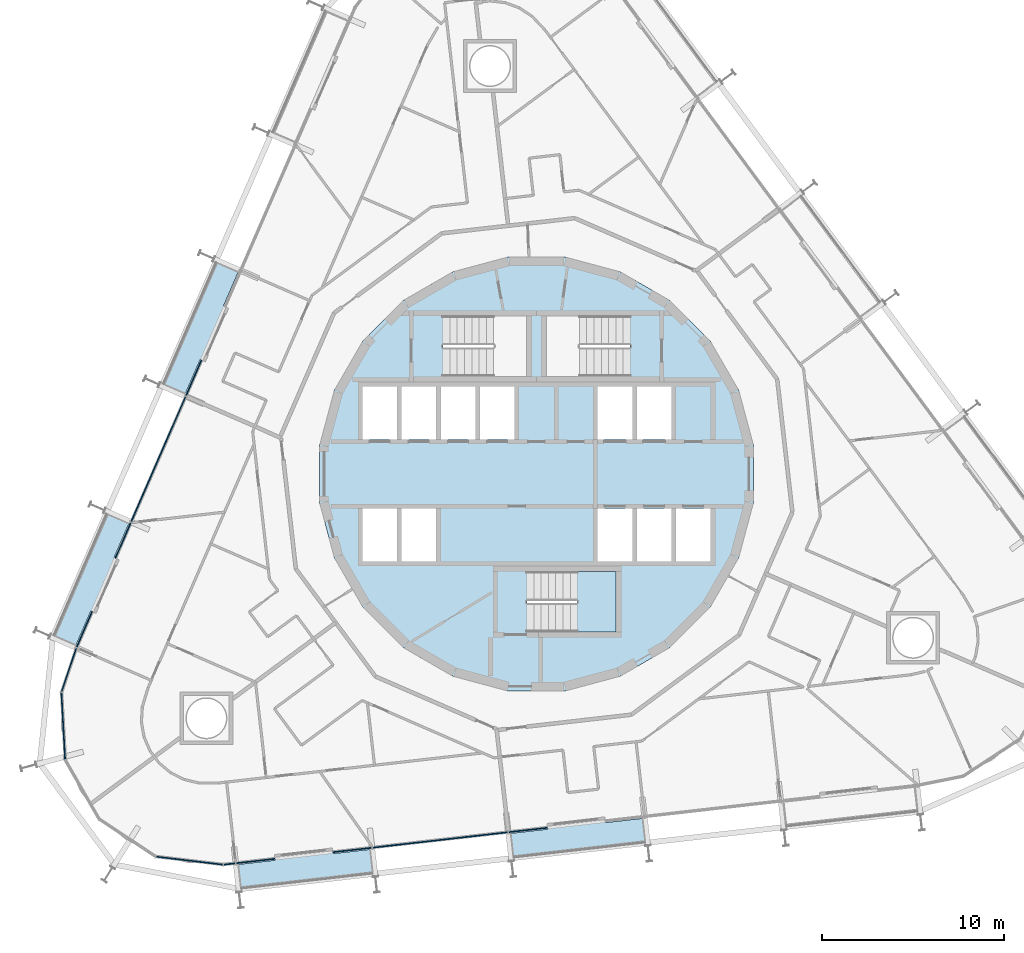
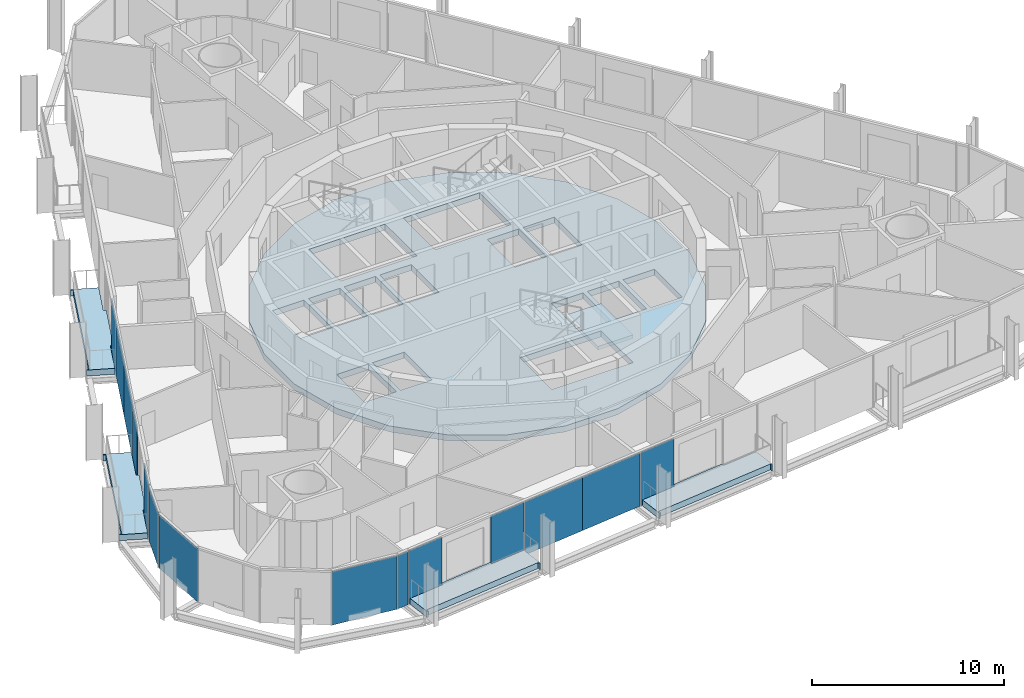
# One storey, part 13 of 24: 14 plates, 6 slabs, 4 elements without a shape of their own.
"""IFC4 building model written with IfcOpenShell, lengths in metres."""

from ifc_helpers import new_model, si_unit, direction, frame, origin, origin_2d, place, context, subcontext, project, spatial, polyline, rectangle, outline, extrude, material, layer, layer_set, type_object, element, aggregate, save


model = new_model("IFC4")

# Units and contexts
model_context = context("Model", 3, precision=1e-05, world=origin(), true_north=direction((0.0, 1.0)))
body_context = subcontext(model_context, "Body", "Model", "MODEL_VIEW")
ifc_project = project(units=[si_unit("LENGTHUNIT", "METRE"), si_unit("AREAUNIT", "SQUARE_METRE"), si_unit("VOLUMEUNIT", "CUBIC_METRE"), si_unit("PLANEANGLEUNIT", "RADIAN"), si_unit("MASSUNIT", "GRAM", prefix="KILO")], contexts=[model_context])

# Site, building, storey
site_placement = place(None, origin())
site = spatial("IfcSite", under=ifc_project, at=site_placement, CompositionType="ELEMENT")
building_placement = place(site_placement, origin())
building = spatial("IfcBuilding", under=site, at=building_placement, Name="Spindle Arch Residences", CompositionType="ELEMENT")
storey_placement = place(building_placement, frame((0.0, 0.0, 101.199951171875)))
storey = spatial("IfcBuildingStorey", under=building, at=storey_placement, Name="L24", CompositionType="ELEMENT", Elevation=101.199951171875)

# Slabs
ifc_material_1 = material(Name="Concrete C40/50", Category="concrete")
ifc_layer_1 = layer(ifc_material_1, 0.3798828125)
ifc_layer_set_1 = layer_set([ifc_layer_1], Name="Balcony slab 380")
slab_type_1 = type_object("IfcSlabType", Name="Balcony slab 380", PredefinedType="FLOOR", material=ifc_layer_set_1)
slab_1_placement = place(storey_placement, frame((0.0, 0.0, -0.3798828125)))
element("IfcSlab", 1, at=slab_1_placement, inside=storey, type_object=slab_type_1, Name="Balcony L24 bay 16", PredefinedType="FLOOR", context=body_context, shape_type="SweptSolid", body=[
    extrude(outline(polyline([(-17.704345703125, 11.715576171875), (-17.734130859375, 11.64697265625), (-17.5966796875, 11.587158203125), (-20.47509765625, 4.967041015625), (-20.61279296875, 5.02685546875), (-20.642578125, 4.9580078125), (-19.276123046875, 4.36376953125), (-18.445068359375, 6.275390625), (-18.29833984375, 6.211669921875), (-17.022216796875, 9.146240234375), (-17.1689453125, 9.2099609375), (-16.337890625, 11.12158203125), (-17.704345703125, 11.715576171875)])), origin(), (0.0, 0.0, 1.0), 0.3798828125),
])
slab_2_placement = place(storey_placement, frame((0.0, 0.0, -0.3798828125)))
element("IfcSlab", 2, at=slab_2_placement, inside=storey, type_object=slab_type_1, Name="Balcony L24 bay 18", PredefinedType="FLOOR", context=body_context, shape_type="SweptSolid", body=[
    extrude(outline(polyline([(-23.700439453125, -2.07470703125), (-23.73046875, -2.1435546875), (-23.5927734375, -2.203369140625), (-26.471435546875, -8.823486328125), (-26.60888671875, -8.763671875), (-26.638916015625, -8.832275390625), (-25.2724609375, -9.426513671875), (-24.441162109375, -7.514892578125), (-24.29443359375, -7.578857421875), (-23.0185546875, -4.644287109375), (-23.165283203125, -4.580322265625), (-22.334228515625, -2.6689453125), (-23.700439453125, -2.07470703125)])), origin(), (0.0, 0.0, 1.0), 0.3798828125),
])
slab_3_placement = place(storey_placement, frame((0.0, 0.0, -0.3798828125)))
element("IfcSlab", 3, at=slab_3_placement, inside=storey, type_object=slab_type_1, Name="Balcony L24 bay 22", PredefinedType="FLOOR", context=body_context, shape_type="SweptSolid", body=[
    extrude(outline(polyline([(-16.23486328125, -22.892578125), (-16.160400390625, -22.884033203125), (-16.177490234375, -22.735107421875), (-9.0048828125, -21.917724609375), (-8.988037109375, -22.06689453125), (-8.91357421875, -22.058349609375), (-9.08203125, -20.577880859375), (-11.153076171875, -20.81396484375), (-11.171142578125, -20.655029296875), (-14.3505859375, -21.01708984375), (-14.33251953125, -21.176025390625), (-16.403564453125, -21.412109375), (-16.23486328125, -22.892578125)])), origin(), (0.0, 0.0, 1.0), 0.3798828125),
])
slab_4_placement = place(storey_placement, frame((0.0, 0.0, -0.3798828125)))
element("IfcSlab", 4, at=slab_4_placement, inside=storey, type_object=slab_type_1, Name="Balcony L24 bay 24", PredefinedType="FLOOR", context=body_context, shape_type="SweptSolid", body=[
    extrude(outline(polyline([(-1.2939453125, -21.190185546875), (-1.219482421875, -21.181640625), (-1.236328125, -21.03271484375), (5.93603515625, -20.215576171875), (5.953125, -20.364501953125), (6.027587890625, -20.35595703125), (5.85888671875, -18.875732421875), (3.787841796875, -19.111572265625), (3.769775390625, -18.95263671875), (0.59033203125, -19.31494140625), (0.6083984375, -19.473876953125), (-1.462646484375, -19.709716796875), (-1.2939453125, -21.190185546875)])), origin(), (0.0, 0.0, 1.0), 0.3798828125),
])
ifc_material_2 = material(Name="Concrete C50/60", Category="concrete")
ifc_layer_2 = layer(ifc_material_2, 0.3798828125)
ifc_layer_set_2 = layer_set([ifc_layer_2], Name="Core floor slab 380")
slab_type_2 = type_object("IfcSlabType", Name="Core floor slab 380", PredefinedType="FLOOR", material=ifc_layer_set_2)
slab_5_placement = place(storey_placement, frame((0.0, 0.0, -0.3798828125)))
element("IfcSlab", 5, at=slab_5_placement, inside=storey, type_object=slab_type_2, Name="Core floor L24", PredefinedType="FLOOR", context=body_context, shape_type="SweptSolid", body=[
    extrude(outline(polyline([(1.56640625, -11.897216796875), (4.59228515625, -11.086669921875), (7.30517578125, -9.520263671875), (9.520263671875, -7.30517578125), (11.086669921875, -4.59228515625), (11.897216796875, -1.56640625), (11.897216796875, 1.56640625), (11.086669921875, 4.59228515625), (9.520263671875, 7.30517578125), (7.30517578125, 9.520263671875), (4.59228515625, 11.086669921875), (1.56640625, 11.897216796875), (-1.56640625, 11.897216796875), (-4.59228515625, 11.086669921875), (-7.30517578125, 9.520263671875), (-9.520263671875, 7.30517578125), (-11.086669921875, 4.59228515625), (-11.897216796875, 1.56640625), (-11.897216796875, -1.56640625), (-11.086669921875, -4.59228515625), (-9.520263671875, -7.30517578125), (-7.30517578125, -9.520263671875), (-4.59228515625, -11.086669921875), (-1.56640625, -11.897216796875), (1.56640625, -11.897216796875)]), holes=[polyline([(-9.550048828125, 1.89990234375), (-7.64990234375, 1.89990234375), (-7.64990234375, 4.800048828125), (-9.550048828125, 4.800048828125), (-9.550048828125, 1.89990234375)]), polyline([(-7.39990234375, 1.89990234375), (-5.5, 1.89990234375), (-5.5, 4.800048828125), (-7.39990234375, 4.800048828125), (-7.39990234375, 1.89990234375)]), polyline([(-5.25, 1.89990234375), (-3.35009765625, 1.89990234375), (-3.35009765625, 4.800048828125), (-5.25, 4.800048828125), (-5.25, 1.89990234375)]), polyline([(-3.10009765625, 1.89990234375), (-1.199951171875, 1.89990234375), (-1.199951171875, 4.800048828125), (-3.10009765625, 4.800048828125), (-3.10009765625, 1.89990234375)]), polyline([(3.35009765625, 1.89990234375), (5.25, 1.89990234375), (5.25, 4.800048828125), (3.35009765625, 4.800048828125), (3.35009765625, 1.89990234375)]), polyline([(5.5, 1.89990234375), (7.39990234375, 1.89990234375), (7.39990234375, 4.800048828125), (5.5, 4.800048828125), (5.5, 1.89990234375)]), polyline([(-9.550048828125, -4.800048828125), (-7.64990234375, -4.800048828125), (-7.64990234375, -1.89990234375), (-9.550048828125, -1.89990234375), (-9.550048828125, -4.800048828125)]), polyline([(-7.39990234375, -4.800048828125), (-5.5, -4.800048828125), (-5.5, -1.89990234375), (-7.39990234375, -1.89990234375), (-7.39990234375, -4.800048828125)]), polyline([(3.35009765625, -4.800048828125), (5.25, -4.800048828125), (5.25, -1.89990234375), (3.35009765625, -1.89990234375), (3.35009765625, -4.800048828125)]), polyline([(5.5, -4.800048828125), (7.39990234375, -4.800048828125), (7.39990234375, -1.89990234375), (5.5, -1.89990234375), (5.5, -4.800048828125)]), polyline([(7.64990234375, -4.800048828125), (9.550048828125, -4.800048828125), (9.550048828125, -1.89990234375), (7.64990234375, -1.89990234375), (7.64990234375, -4.800048828125)]), polyline([(5.1298828125, 8.669921875), (0.550048828125, 8.669921875), (0.550048828125, 5.35009765625), (5.1298828125, 5.35009765625), (5.1298828125, 8.669921875)]), polyline([(-5.1298828125, 5.35009765625), (-0.550048828125, 5.35009765625), (-0.550048828125, 8.669921875), (-5.1298828125, 8.669921875), (-5.1298828125, 5.35009765625)]), polyline([(-0.530029296875, -8.669921875), (4.35009765625, -8.669921875), (4.35009765625, -5.35009765625), (-0.530029296875, -5.35009765625), (-0.530029296875, -8.669921875)])]), origin(), (0.0, 0.0, 1.0), 0.3798828125),
])

# Stair, slab
ifc_material_3 = material(Name="Concrete C50/60", Category="concrete")
stair_type = type_object("IfcStairType", Name="Exit stair 16 risers", PredefinedType="HALF_TURN_STAIR", material=ifc_material_3)
stair_placement = place(storey_placement, origin())
stair = element("IfcStair", 6, at=stair_placement, inside=storey, type_object=stair_type, Name="L24 Exit stair ST3", PredefinedType="HALF_TURN_STAIR")
ifc_material_4 = material(Name="Concrete C50/60", Category="concrete")
ifc_layer_3 = layer(ifc_material_4, 0.219970703125)
ifc_layer_set_3 = layer_set([ifc_layer_3], Name="Exit stair landing 220")
slab_type_3 = type_object("IfcSlabType", Name="Exit stair landing 220", PredefinedType="LANDING", material=ifc_layer_set_3)
slab_6_placement = place(storey_placement, frame((0.0, 0.0, 1.530029296875)))
slab_6 = element("IfcSlab", 7, at=slab_6_placement, type_object=slab_type_3, Name="ST3 landing 1", PredefinedType="LANDING", context=body_context, shape_type="SweptSolid", body=[
    extrude(outline(polyline([(2.22998046875, -8.669921875), (4.35009765625, -8.669921875), (4.35009765625, -5.35009765625), (2.22998046875, -5.35009765625), (2.22998046875, -8.669921875)])), origin(), (0.0, 0.0, 1.0), 0.219970703125),
])
aggregate(stair, [slab_6])

# Curtain wall, plates
ifc_material_5 = material(Name="Aluminium bronze unitised frame with tinted glass", Category="aluminium")
ifc_layer_4 = layer(ifc_material_5, 0.159912109375)
ifc_layer_set_4 = layer_set([ifc_layer_4], Name="CW-C typical residential unitised wall")
curtain_wall_type_1 = type_object("IfcCurtainWallType", Name="CW-C typical residential unitised wall", PredefinedType="NOTDEFINED", material=ifc_layer_set_4)
curtain_wall_1_placement = place(storey_placement, origin())
curtain_wall_1 = element("IfcCurtainWall", 8, at=curtain_wall_1_placement, inside=storey, type_object=curtain_wall_type_1, Name="CW-C L24 run 4", PredefinedType="NOTDEFINED")
ifc_material_6 = material(Name="Tinted double glazing over aluminium faced non-combustible spandrel zone (K0)", Category="aluminium")
ifc_layer_5 = layer(ifc_material_6, 0.06005859375)
ifc_layer_set_5 = layer_set([ifc_layer_5], Name="Unitised glass panel with E 60 spandrel zone")
plate_type = type_object("IfcPlateType", Name="Unitised glass panel with E 60 spandrel zone", PredefinedType="CURTAIN_PANEL", material=ifc_layer_set_5)
plate_1_placement = place(storey_placement, frame((-18.796142578125, 5.26708984375, -0.3798828125), z_axis=(0.0, 0.0, 1.0), x_axis=(-0.398749068925, -0.917060074385, 0.0)))
plate_1 = element("IfcPlate", 9, at=plate_1_placement, type_object=plate_type, Name="CW-C unit 15R", PredefinedType="CURTAIN_PANEL", context=body_context, shape_type="SweptSolid", body=[
    extrude(rectangle(XDim=2.12939453125, YDim=0.06005859375, at=origin_2d()), origin(), (0.0, 0.0, 1.0), 3.3798828125),
])
plate_2_placement = place(storey_placement, frame((-19.98828125, 2.525634765625, -0.3798828125), z_axis=(0.0, 0.0, 1.0), x_axis=(-0.398749068925, -0.917060074385, 0.0)))
plate_2 = element("IfcPlate", 10, at=plate_2_placement, type_object=plate_type, Name="CW-C unit 16A", PredefinedType="CURTAIN_PANEL", context=body_context, shape_type="SweptSolid", body=[
    extrude(rectangle(XDim=3.7294921875, YDim=0.06005859375, at=origin_2d()), origin(), (0.0, 0.0, 1.0), 3.3798828125),
])
plate_3_placement = place(storey_placement, frame((-21.475341796875, -0.89453125, -0.3798828125), z_axis=(0.0, 0.0, 1.0), x_axis=(-0.398749068925, -0.917060074385, 0.0)))
plate_3 = element("IfcPlate", 11, at=plate_3_placement, type_object=plate_type, Name="CW-C unit 16B", PredefinedType="CURTAIN_PANEL", context=body_context, shape_type="SweptSolid", body=[
    extrude(rectangle(XDim=3.7294921875, YDim=0.06005859375, at=origin_2d()), origin(), (0.0, 0.0, 1.0), 3.3798828125),
])
plate_4_placement = place(storey_placement, frame((-22.66748046875, -3.635986328125, -0.3798828125), z_axis=(0.0, 0.0, 1.0), x_axis=(-0.398749068925, -0.917060074385, 0.0)))
plate_4 = element("IfcPlate", 12, at=plate_4_placement, type_object=plate_type, Name="CW-C unit 17L", PredefinedType="CURTAIN_PANEL", context=body_context, shape_type="SweptSolid", body=[
    extrude(rectangle(XDim=2.12939453125, YDim=0.06005859375, at=origin_2d()), origin(), (0.0, 0.0, 1.0), 3.3798828125),
])
plate_5_placement = place(storey_placement, frame((-24.79248046875, -8.523193359375, -0.3798828125), z_axis=(0.0, 0.0, 1.0), x_axis=(-0.398749068925, -0.917060074385, 0.0)))
plate_5 = element("IfcPlate", 13, at=plate_5_placement, type_object=plate_type, Name="CW-C unit 17R", PredefinedType="CURTAIN_PANEL", context=body_context, shape_type="SweptSolid", body=[
    extrude(rectangle(XDim=2.12939453125, YDim=0.06005859375, at=origin_2d()), origin(), (0.0, 0.0, 1.0), 3.3798828125),
])
aggregate(curtain_wall_1, [plate_1, plate_2, plate_3, plate_4, plate_5])

ifc_material_7 = material(Name="Aluminium bronze unitised frame with tinted glass", Category="aluminium")
ifc_layer_6 = layer(ifc_material_7, 0.159912109375)
ifc_layer_set_6 = layer_set([ifc_layer_6], Name="CW-D corner wall on the fillet arcs")
curtain_wall_type_2 = type_object("IfcCurtainWallType", Name="CW-D corner wall on the fillet arcs", PredefinedType="NOTDEFINED", material=ifc_layer_set_6)
curtain_wall_2_placement = place(storey_placement, origin())
curtain_wall_2 = element("IfcCurtainWall", 14, at=curtain_wall_2_placement, inside=storey, type_object=curtain_wall_type_2, Name="CW-D L24 run 5", PredefinedType="NOTDEFINED")
plate_6_placement = place(storey_placement, frame((-25.640380859375, -10.746826171875, -0.3798828125), z_axis=(0.0, 0.0, 1.0), x_axis=(-0.319727106941, -0.947509671237, 0.0)))
plate_6 = element("IfcPlate", 15, at=plate_6_placement, type_object=plate_type, Name="CW-D unit 00", PredefinedType="CURTAIN_PANEL", context=body_context, shape_type="SweptSolid", body=[
    extrude(rectangle(XDim=2.51416015625, YDim=0.06005859375, at=origin_2d()), origin(), (0.0, 0.0, 1.0), 3.3798828125),
])
plate_7_placement = place(storey_placement, frame((-25.948974609375, -13.82666015625, -0.3798828125), z_axis=(0.0, 0.0, 1.0), x_axis=(0.055240622495, -0.998473071057, 0.0)))
plate_7 = element("IfcPlate", 16, at=plate_7_placement, type_object=plate_type, Name="CW-D unit 01", PredefinedType="CURTAIN_PANEL", context=body_context, shape_type="SweptSolid", body=[
    extrude(rectangle(XDim=3.666748046875, YDim=0.06005859375, at=origin_2d()), origin(), (0.0, 0.0, 1.0), 3.3798828125),
])
plate_8_placement = place(storey_placement, frame((-19.034423828125, -21.19873046875, -0.3798828125), z_axis=(0.0, 0.0, 1.0), x_axis=(0.992896454881, -0.118981636756, 0.0)))
plate_8 = element("IfcPlate", 17, at=plate_8_placement, type_object=plate_type, Name="CW-D unit 04", PredefinedType="CURTAIN_PANEL", context=body_context, shape_type="SweptSolid", body=[
    extrude(rectangle(XDim=3.666748046875, YDim=0.06005859375, at=origin_2d()), origin(), (0.0, 0.0, 1.0), 3.3798828125),
])
plate_9_placement = place(storey_placement, frame((-16.835693359375, -21.380859375, -0.3798828125), z_axis=(0.0, 0.0, 1.0), x_axis=(0.993571855677, 0.113203213768, 0.0)))
plate_9 = element("IfcPlate", 18, at=plate_9_placement, type_object=plate_type, Name="CW-D unit 05", PredefinedType="CURTAIN_PANEL", context=body_context, shape_type="SweptSolid", body=[
    extrude(rectangle(XDim=0.6416015625, YDim=0.06005859375, at=origin_2d()), origin(), (0.0, 0.0, 1.0), 3.3798828125),
])
aggregate(curtain_wall_2, [plate_6, plate_7, plate_8, plate_9])

curtain_wall_3_placement = place(storey_placement, origin())
curtain_wall_3 = element("IfcCurtainWall", 19, at=curtain_wall_3_placement, inside=storey, type_object=curtain_wall_type_1, Name="CW-C L24 run 6", PredefinedType="NOTDEFINED")
plate_10_placement = place(storey_placement, frame((-15.3994140625, -21.21728515625, -0.3798828125), z_axis=(0.0, 0.0, 1.0), x_axis=(0.993571855677, 0.113203213768, 0.0)))
plate_10 = element("IfcPlate", 20, at=plate_10_placement, type_object=plate_type, Name="CW-C unit 21L", PredefinedType="CURTAIN_PANEL", context=body_context, shape_type="SweptSolid", body=[
    extrude(rectangle(XDim=2.12939453125, YDim=0.06005859375, at=origin_2d()), origin(), (0.0, 0.0, 1.0), 3.3798828125),
])
plate_11_placement = place(storey_placement, frame((-10.104248046875, -20.61376953125, -0.3798828125), z_axis=(0.0, 0.0, 1.0), x_axis=(0.993571855677, 0.113203213768, 0.0)))
plate_11 = element("IfcPlate", 21, at=plate_11_placement, type_object=plate_type, Name="CW-C unit 21R", PredefinedType="CURTAIN_PANEL", context=body_context, shape_type="SweptSolid", body=[
    extrude(rectangle(XDim=2.12939453125, YDim=0.06005859375, at=origin_2d()), origin(), (0.0, 0.0, 1.0), 3.3798828125),
])
plate_12_placement = place(storey_placement, frame((-7.134033203125, -20.275390625, -0.3798828125), z_axis=(0.0, 0.0, 1.0), x_axis=(0.993571855677, 0.113203213768, 0.0)))
plate_12 = element("IfcPlate", 22, at=plate_12_placement, type_object=plate_type, Name="CW-C unit 22A", PredefinedType="CURTAIN_PANEL", context=body_context, shape_type="SweptSolid", body=[
    extrude(rectangle(XDim=3.7294921875, YDim=0.06005859375, at=origin_2d()), origin(), (0.0, 0.0, 1.0), 3.3798828125),
])
plate_13_placement = place(storey_placement, frame((-3.4287109375, -19.853271484375, -0.3798828125), z_axis=(0.0, 0.0, 1.0), x_axis=(0.993571855677, 0.113203213768, 0.0)))
plate_13 = element("IfcPlate", 23, at=plate_13_placement, type_object=plate_type, Name="CW-C unit 22B", PredefinedType="CURTAIN_PANEL", context=body_context, shape_type="SweptSolid", body=[
    extrude(rectangle(XDim=3.7294921875, YDim=0.06005859375, at=origin_2d()), origin(), (0.0, 0.0, 1.0), 3.3798828125),
])
plate_14_placement = place(storey_placement, frame((-0.45849609375, -19.514892578125, -0.3798828125), z_axis=(0.0, 0.0, 1.0), x_axis=(0.993571855677, 0.113203213768, 0.0)))
plate_14 = element("IfcPlate", 24, at=plate_14_placement, type_object=plate_type, Name="CW-C unit 23L", PredefinedType="CURTAIN_PANEL", context=body_context, shape_type="SweptSolid", body=[
    extrude(rectangle(XDim=2.12939453125, YDim=0.06005859375, at=origin_2d()), origin(), (0.0, 0.0, 1.0), 3.3798828125),
])
aggregate(curtain_wall_3, [plate_10, plate_11, plate_12, plate_13, plate_14])

save(model, "model.ifc")
